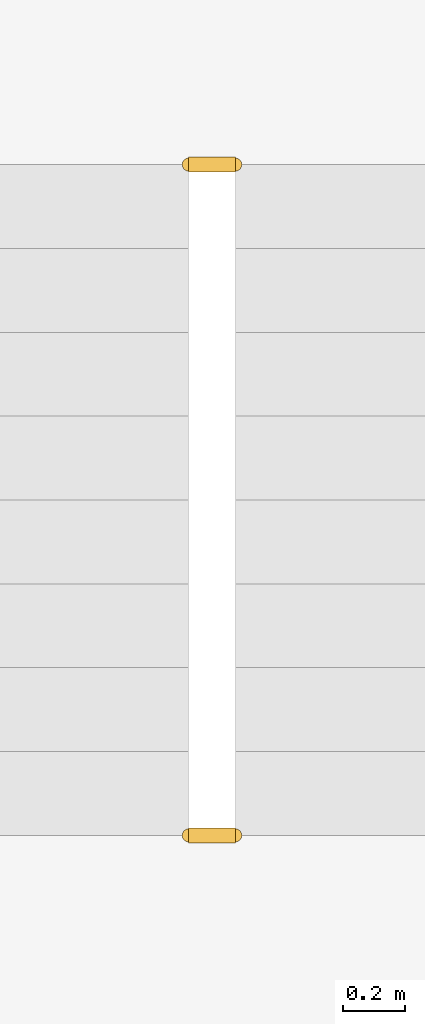
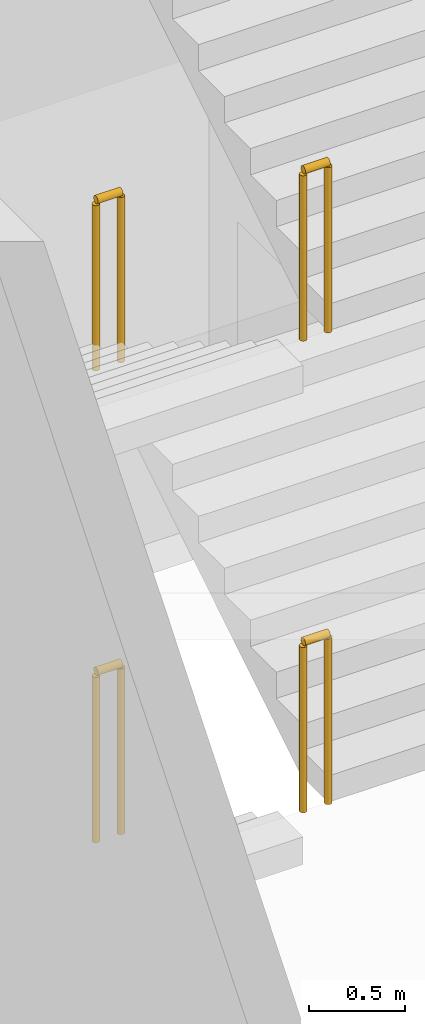
# One storey, part 20 of 25: 4 railings.
"""IFC4 building model written with IfcOpenShell, lengths in metres."""

from ifc_helpers import new_model, si_unit, direction, frame, origin, origin_2d, place, context, subcontext, project, spatial, circle, extrude, material, type_object, element, save


model = new_model("IFC4")

# Units and contexts
model_context = context("Model", 3, precision=1e-05, world=origin(), true_north=direction((0.0, 1.0)))
body_context = subcontext(model_context, "Body", "Model", "MODEL_VIEW")
ifc_project = project(units=[si_unit("LENGTHUNIT", "METRE"), si_unit("AREAUNIT", "SQUARE_METRE"), si_unit("VOLUMEUNIT", "CUBIC_METRE"), si_unit("PLANEANGLEUNIT", "RADIAN"), si_unit("MASSUNIT", "GRAM", prefix="KILO")], contexts=[model_context])

# Site, building, storey
site_placement = place(None, origin())
site = spatial("IfcSite", under=ifc_project, at=site_placement, CompositionType="ELEMENT")
building_placement = place(site_placement, origin())
building = spatial("IfcBuilding", under=site, at=building_placement, Name="Isbrekke Arena Tower", CompositionType="ELEMENT")
storey_placement = place(building_placement, frame((0.0, 0.0, 6.0)))
storey = spatial("IfcBuildingStorey", under=building, at=storey_placement, Name="L01", CompositionType="ELEMENT", Elevation=6.0)

# Railings
ifc_material = material(Name="Steel stair guard, vertical bars, steel handrail", Category="steel")
railing_type = type_object("IfcRailingType", Name="GR3 STAIR WELL GUARD 1100", PredefinedType="GUARDRAIL", material=ifc_material)
for number, where, name in (
    (1, (51.925048828125, -34.324951171875, 0.0), "GR3 stair well guard P3 L01"),
    (2, (51.925048828125, -36.485107421875, 1.5), "GR3 stair well guard P3 L01"),
    (3, (51.925048828125, -34.324951171875, 3.0), "GR3 stair well guard P3 L01"),
    (4, (51.925048828125, -36.485107421875, 4.5), "GR3 stair well guard P3 L01"),
):
    element("IfcRailing", number, at=place(storey_placement, frame(where)), inside=storey, type_object=railing_type, Name=name, PredefinedType="GUARDRAIL", context=body_context, shape_type="SweptSolid", body=[
        extrude(circle(Radius=0.02392578125, at=origin_2d()), frame((0.0, 0.0, 1.076171875), z_axis=(1.0, 0.0, 0.0), x_axis=(0.0, 1.0, 0.0)), (0.0, 0.0, 1.0), 0.14990234375),
        extrude(circle(Radius=0.02099609375, at=origin_2d()), origin(), (0.0, 0.0, 1.0), 1.052001953125),
        extrude(circle(Radius=0.02099609375, at=origin_2d()), frame((0.14990234375, 0.0, 0.0)), (0.0, 0.0, 1.0), 1.052001953125),
    ])

save(model, "model.ifc")
